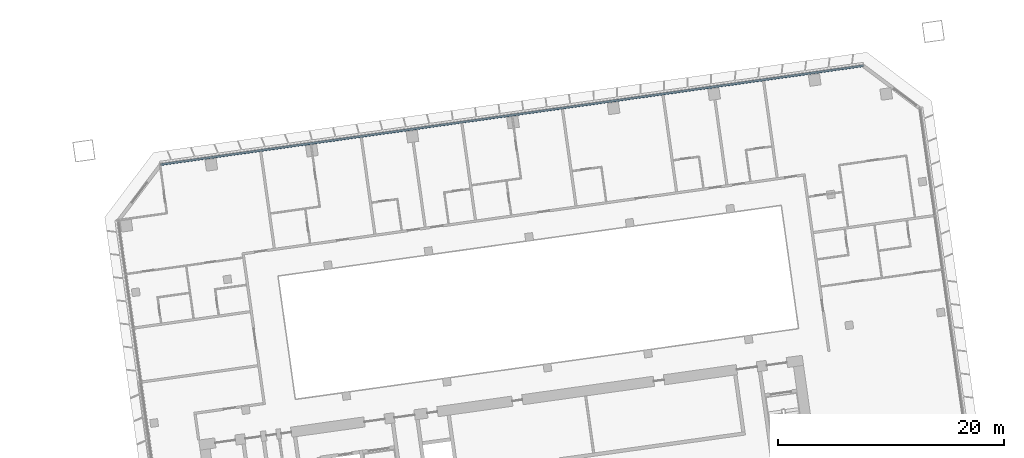
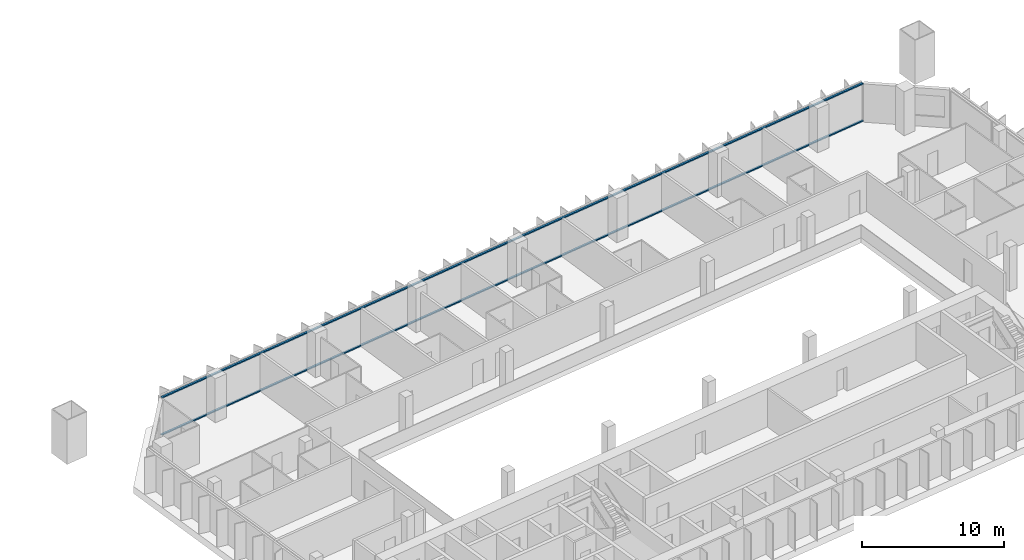
# One storey, part 9 of 24: 2 members, 1 element without a shape of its own.
"""IFC4 building model written with IfcOpenShell, lengths in metres."""

from ifc_helpers import new_model, si_unit, direction, frame, origin, origin_2d, place, context, subcontext, project, spatial, rectangle, extrude, material, material_profile, profile_set, type_object, element, aggregate, save


model = new_model("IFC4")

# Units and contexts
model_context = context("Model", 3, precision=1e-05, world=origin(), true_north=direction((0.0, 1.0)))
body_context = subcontext(model_context, "Body", "Model", "MODEL_VIEW")
ifc_project = project(units=[si_unit("LENGTHUNIT", "METRE"), si_unit("AREAUNIT", "SQUARE_METRE"), si_unit("VOLUMEUNIT", "CUBIC_METRE"), si_unit("PLANEANGLEUNIT", "RADIAN"), si_unit("MASSUNIT", "GRAM", prefix="KILO")], contexts=[model_context])

# Site, building, storey
site_placement = place(None, origin())
site = spatial("IfcSite", under=ifc_project, at=site_placement, CompositionType="ELEMENT")
building_placement = place(site_placement, origin())
building = spatial("IfcBuilding", under=site, at=building_placement, Name="Mirante Cascada Hotel Towers", CompositionType="ELEMENT")
storey_placement = place(building_placement, frame((0.0, 0.0, 88.9)))
storey = spatial("IfcBuildingStorey", under=building, at=storey_placement, Name="L19", CompositionType="ELEMENT", Elevation=88.9)

# Curtain wall, members
ifc_material_1 = material(Name="Aluminium mullion and transom frame with clear laminated glass", Category="aluminium")
curtain_wall_type = type_object("IfcCurtainWallType", Name="Ribbon curtain wall ECW1", PredefinedType="NOTDEFINED", material=ifc_material_1)
curtain_wall_placement = place(storey_placement, origin())
curtain_wall = element("IfcCurtainWall", 1, at=curtain_wall_placement, inside=storey, type_object=curtain_wall_type, Name="Front ribbon wall T2 L19", PredefinedType="NOTDEFINED")
ifc_material_2 = material(Name="Anodised aluminium extrusion", Category="aluminium")
ifc_material_profile = material_profile(ifc_material_2, rectangle(XDim=0.16, YDim=0.1, at=origin_2d()), Name="ECW1 TRANSOM 100x160")
ifc_profile_set = profile_set([ifc_material_profile], Name="Anodised aluminium extrusion")
member_type = type_object("IfcMemberType", Name="ECW1 transom 100x160", PredefinedType="USERDEFINED", material=ifc_profile_set)
member_1_placement = place(storey_placement, frame((94.1582, 26.0521, 0.05), z_axis=(-0.9902681, -0.1391728, 0.0), x_axis=(0.1391728, -0.9902681, 0.0)))
member_1 = element("IfcMember", 2, at=member_1_placement, type_object=member_type, Name="ECW1 sill transom", ObjectType="TRANSOM", PredefinedType="USERDEFINED", context=body_context, shape_type="SweptSolid", body=[
    extrude(rectangle(XDim=0.16, YDim=0.1, at=origin_2d()), origin(), (0.0, 0.0, 1.0), 62.8758),
])
member_2_placement = place(storey_placement, frame((94.1582, 26.0521, 3.25), z_axis=(-0.9902681, -0.1391728, 0.0), x_axis=(0.1391728, -0.9902681, 0.0)))
member_2 = element("IfcMember", 3, at=member_2_placement, type_object=member_type, Name="ECW1 head transom", ObjectType="TRANSOM", PredefinedType="USERDEFINED", context=body_context, shape_type="SweptSolid", body=[
    extrude(rectangle(XDim=0.16, YDim=0.1, at=origin_2d()), origin(), (0.0, 0.0, 1.0), 62.8758),
])
aggregate(curtain_wall, [member_1, member_2])

save(model, "model.ifc")
